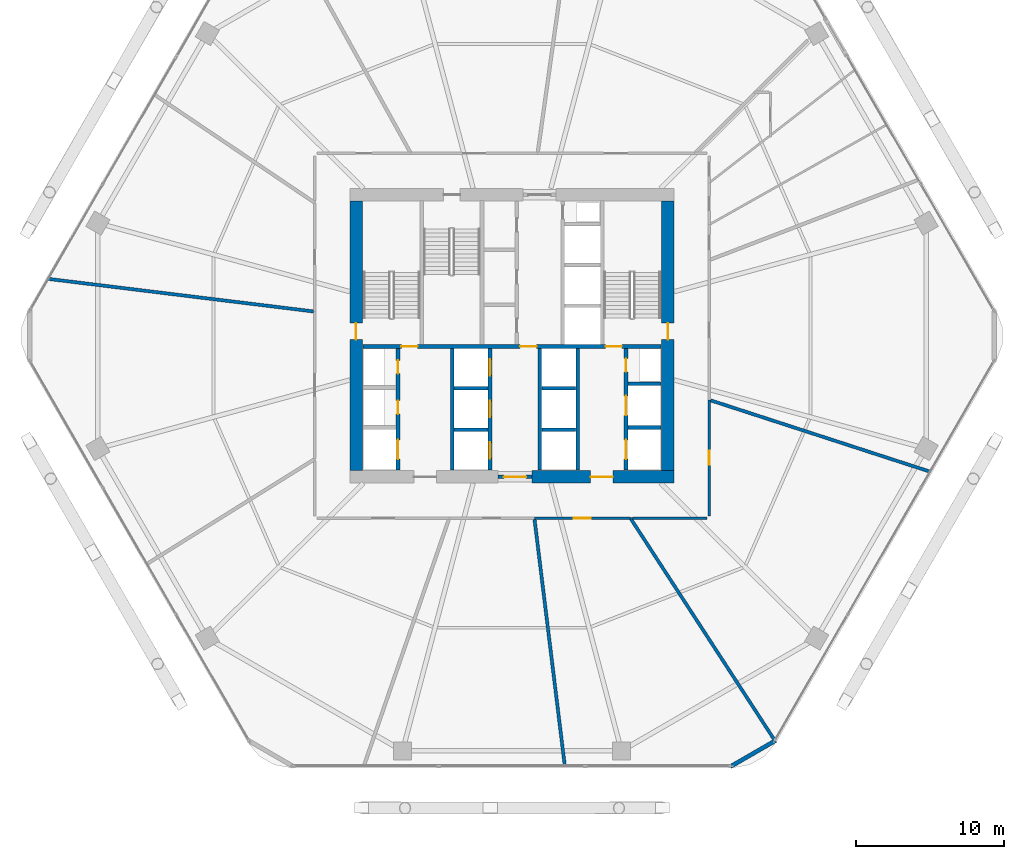
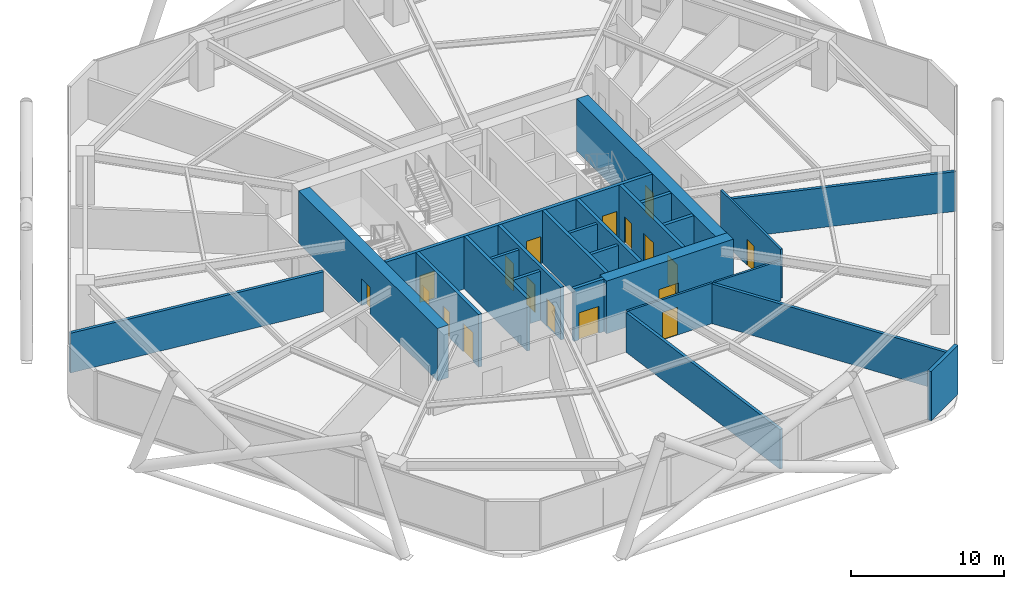
# One storey, part 25 of 28: 25 walls, 18 doors, 18 openings.
"""IFC4 building model written with IfcOpenShell, lengths in metres."""

from ifc_helpers import new_model, si_unit, direction, frame, frame_2d, origin, place, context, subcontext, project, spatial, rectangle, extrude, material, layer, layer_set, type_object, element, fill, save


model = new_model("IFC4")

# Units and contexts
model_context = context("Model", 3, precision=1e-05, world=origin(), true_north=direction((0.0, 1.0)))
body_context = subcontext(model_context, "Body", "Model", "MODEL_VIEW")
ifc_project = project(units=[si_unit("LENGTHUNIT", "METRE"), si_unit("AREAUNIT", "SQUARE_METRE"), si_unit("VOLUMEUNIT", "CUBIC_METRE"), si_unit("PLANEANGLEUNIT", "RADIAN"), si_unit("MASSUNIT", "GRAM", prefix="KILO")], contexts=[model_context])

# Site, building, storey
site_placement = place(None, origin())
site = spatial("IfcSite", under=ifc_project, at=site_placement, CompositionType="ELEMENT")
building_placement = place(site_placement, origin())
building = spatial("IfcBuilding", under=site, at=building_placement, Name="Zuhravey Tower", CompositionType="ELEMENT")
storey_placement = place(building_placement, frame((0.0, 0.0, 24.60009765625)))
storey = spatial("IfcBuildingStorey", under=building, at=storey_placement, Name="L06", CompositionType="ELEMENT", Elevation=24.60009765625)

# Wall, opening, door
ifc_material_1 = material(Name="Concrete C60/75", Category="concrete")
ifc_layer_1 = layer(ifc_material_1, 0.85009765625)
ifc_layer_set_1 = layer_set([ifc_layer_1], Name="Concrete C60/75")
wall_type_1 = type_object("IfcWallType", Name="Core Shear Wall 850", PredefinedType="SHEAR", material=ifc_layer_set_1)
wall_1_placement = place(storey_placement, frame((37.35009765625, 22.5, 0.0), z_axis=(0.0, 0.0, 1.0), x_axis=(1.0, 0.0, 0.0)))
wall_1 = element("IfcWall", 1, at=wall_1_placement, inside=storey, type_object=wall_type_1, Name="L06 South-East Core Shear Wall CW85", PredefinedType="SHEAR", context=body_context, shape_type="SweptSolid", body=[
    extrude(rectangle(XDim=9.574951171875, YDim=0.85009765625, at=frame_2d((4.78759765625, 0.0))), origin(), (0.0, 0.0, 1.0), 4.199951171875),
])
opening_1_placement = place(wall_1_placement, frame((3.949951171875, 0.0, 0.0)))
opening_1 = element("IfcOpeningElement", 2, at=opening_1_placement, cuts=wall_1, Name="Opening FFD1", PredefinedType="OPENING", context=body_context, shape_type="SweptSolid", body=[
    extrude(rectangle(XDim=1.5, YDim=2.14990234375, at=frame_2d((0.75, 1.074951171875))), frame((0.0, 0.43701171875, 0.0), z_axis=(0.0, -1.0, 0.0), x_axis=(1.0, 0.0, 0.0)), (0.0, 0.0, 1.0), 0.8740234375),
])
ifc_material_2 = material(Name="Galvanised fire-rated steel leaf", Category="steel")
door_type_1 = type_object("IfcDoorType", Name="Firefighting Lobby Double Door 1500x2150", OperationType="DOUBLE_DOOR_SINGLE_SWING", PredefinedType="DOOR", material=ifc_material_2)
door_1_placement = place(opening_1_placement, origin())
door_1 = element("IfcDoor", 3, at=door_1_placement, inside=storey, type_object=door_type_1, Name="L06 Firefighting Lobby East Door", OperationType="DOUBLE_DOOR_SINGLE_SWING", OverallHeight=2.14990234375, OverallWidth=1.5, PredefinedType="DOOR", context=body_context, shape_type="SweptSolid", body=[
    extrude(rectangle(XDim=1.5, YDim=2.14990234375, at=frame_2d((0.75, 1.074951171875))), frame((0.0, 0.02490234375, 0.0), z_axis=(0.0, -1.0, 0.0), x_axis=(1.0, 0.0, 0.0)), (0.0, 0.0, 1.0), 0.050048828125),
])
fill(opening_1, door_1)

wall_2_placement = place(storey_placement, frame((25.5, 22.925048828125, 0.0), z_axis=(0.0, 0.0, 1.0), x_axis=(0.0, 1.0, 0.0)))
wall_2 = element("IfcWall", 4, at=wall_2_placement, inside=storey, type_object=wall_type_1, Name="L06 West Core Shear Wall CW85", PredefinedType="SHEAR", context=body_context, shape_type="SweptSolid", body=[
    extrude(rectangle(XDim=18.14990234375, YDim=0.85009765625, at=frame_2d((9.074951171875, 0.0))), origin(), (0.0, 0.0, 1.0), 4.199951171875),
])
opening_2_placement = place(wall_2_placement, frame((8.824951171875, 0.0, 0.0)))
opening_2 = element("IfcOpeningElement", 5, at=opening_2_placement, cuts=wall_2, Name="Opening STD1", PredefinedType="OPENING", context=body_context, shape_type="SweptSolid", body=[
    extrude(rectangle(XDim=1.10009765625, YDim=2.14990234375, at=frame_2d((0.550048828125, 1.074951171875))), frame((0.0, 0.43701171875, 0.0), z_axis=(0.0, -1.0, 0.0), x_axis=(1.0, 0.0, 0.0)), (0.0, 0.0, 1.0), 0.8740234375),
])
door_type_2 = type_object("IfcDoorType", Name="Protected Stair Fire Door 1100x2150", OperationType="NOTDEFINED", PredefinedType="USERDEFINED", material=ifc_material_2)
door_2_placement = place(opening_2_placement, frame((1.10009765625, 0.0, 0.0), z_axis=(0.0, 0.0, 1.0), x_axis=(-1.0, 0.0, 0.0)))
door_2 = element("IfcDoor", 6, at=door_2_placement, inside=storey, type_object=door_type_2, Name="L06 Stair ST1 Door", ObjectType="EXITDOOR", OperationType="SINGLE_SWING_LEFT", OverallHeight=2.14990234375, OverallWidth=1.10009765625, PredefinedType="USERDEFINED", context=body_context, shape_type="SweptSolid", body=[
    extrude(rectangle(XDim=1.10009765625, YDim=2.14990234375, at=frame_2d((0.550048828125, 1.074951171875))), frame((0.0, 0.02490234375, 0.0), z_axis=(0.0, -1.0, 0.0), x_axis=(1.0, 0.0, 0.0)), (0.0, 0.0, 1.0), 0.050048828125),
])
fill(opening_2, door_2)

wall_3_placement = place(storey_placement, frame((46.5, 22.925048828125, 0.0), z_axis=(0.0, 0.0, 1.0), x_axis=(0.0, 1.0, 0.0)))
wall_3 = element("IfcWall", 7, at=wall_3_placement, inside=storey, type_object=wall_type_1, Name="L06 East Core Shear Wall CW85", PredefinedType="SHEAR", context=body_context, shape_type="SweptSolid", body=[
    extrude(rectangle(XDim=18.14990234375, YDim=0.85009765625, at=frame_2d((9.074951171875, 0.0))), origin(), (0.0, 0.0, 1.0), 4.199951171875),
])
opening_3_placement = place(wall_3_placement, frame((8.824951171875, 0.0, 0.0)))
opening_3 = element("IfcOpeningElement", 8, at=opening_3_placement, cuts=wall_3, Name="Opening STD1", PredefinedType="OPENING", context=body_context, shape_type="SweptSolid", body=[
    extrude(rectangle(XDim=1.10009765625, YDim=2.14990234375, at=frame_2d((0.550048828125, 1.074951171875))), frame((0.0, 0.43701171875, 0.0), z_axis=(0.0, -1.0, 0.0), x_axis=(1.0, 0.0, 0.0)), (0.0, 0.0, 1.0), 0.8740234375),
])
door_3_placement = place(opening_3_placement, origin())
door_3 = element("IfcDoor", 9, at=door_3_placement, inside=storey, type_object=door_type_2, Name="L06 Stair ST2 Door", ObjectType="EXITDOOR", OperationType="SINGLE_SWING_RIGHT", OverallHeight=2.14990234375, OverallWidth=1.10009765625, PredefinedType="USERDEFINED", context=body_context, shape_type="SweptSolid", body=[
    extrude(rectangle(XDim=1.10009765625, YDim=2.14990234375, at=frame_2d((0.550048828125, 1.074951171875))), frame((0.0, 0.02490234375, 0.0), z_axis=(0.0, -1.0, 0.0), x_axis=(1.0, 0.0, 0.0)), (0.0, 0.0, 1.0), 0.050048828125),
])
fill(opening_3, door_3)

ifc_material_3 = material(Name="Gypsum fire-rated stud partition")
ifc_layer_2 = layer(ifc_material_3, 0.159912109375)
ifc_layer_set_2 = layer_set([ifc_layer_2], Name="Gypsum fire-rated stud partition")
wall_type_2 = type_object("IfcWallType", Name="Corridor Fire Partition 160", PredefinedType="PARTITIONING", material=ifc_layer_set_2)
wall_4_placement = place(storey_placement, frame((37.50830078125, 19.715087890625, 0.0), z_axis=(0.0, 0.0, 1.0), x_axis=(1.0, 0.0, 0.0)))
wall_4 = element("IfcWall", 10, at=wall_4_placement, inside=storey, type_object=wall_type_2, Name="L06 IW16 Partition 030", PredefinedType="PARTITIONING", context=body_context, shape_type="SweptSolid", body=[
    extrude(rectangle(XDim=6.4697265625, YDim=0.159912109375, at=frame_2d((3.23486328125, 0.0))), origin(), (0.0, 0.0, 1.0), 3.219970703125),
])
opening_4_placement = place(wall_4_placement, frame((2.659912109375, 0.0, 0.0)))
opening_4 = element("IfcOpeningElement", 11, at=opening_4_placement, cuts=wall_4, Name="Opening CLD1", PredefinedType="OPENING", context=body_context, shape_type="SweptSolid", body=[
    extrude(rectangle(XDim=1.14990234375, YDim=2.199951171875, at=frame_2d((0.574951171875, 1.10009765625))), frame((0.0, 0.092041015625, 0.0), z_axis=(0.0, -1.0, 0.0), x_axis=(1.0, 0.0, 0.0)), (0.0, 0.0, 1.0), 0.183837890625),
])
ifc_material_4 = material(Name="Acoustic timber leaf with vision lite", Category="wood")
door_type_3 = type_object("IfcDoorType", Name="Classroom Acoustic Door 1150x2200", OperationType="NOTDEFINED", PredefinedType="DOOR", material=ifc_material_4)
door_4_placement = place(opening_4_placement, frame((1.14990234375, 0.0, 0.0), z_axis=(0.0, 0.0, 1.0), x_axis=(-1.0, 0.0, 0.0)))
door_4 = element("IfcDoor", 12, at=door_4_placement, inside=storey, type_object=door_type_3, Name="L06 Door 030.1", OperationType="SINGLE_SWING_LEFT", OverallHeight=2.199951171875, OverallWidth=1.14990234375, PredefinedType="DOOR", context=body_context, shape_type="SweptSolid", body=[
    extrude(rectangle(XDim=1.14990234375, YDim=2.199951171875, at=frame_2d((0.574951171875, 1.10009765625))), frame((0.0, 0.02490234375, 0.0), z_axis=(0.0, -1.0, 0.0), x_axis=(1.0, 0.0, 0.0)), (0.0, 0.0, 1.0), 0.050048828125),
])
fill(opening_4, door_4)

wall_5_placement = place(storey_placement, frame((49.284912109375, 19.875, 0.0), z_axis=(0.0, 0.0, 1.0), x_axis=(0.0, 1.0, 0.0)))
wall_5 = element("IfcWall", 13, at=wall_5_placement, inside=storey, type_object=wall_type_2, Name="L06 IW16 Partition 031", PredefinedType="PARTITIONING", context=body_context, shape_type="SweptSolid", body=[
    extrude(rectangle(XDim=7.808349609375, YDim=0.159912109375, at=frame_2d((3.904296875, 0.0))), origin(), (0.0, 0.0, 1.0), 3.919921875),
])
opening_5_placement = place(wall_5_placement, frame((3.42919921875, 0.0, 0.0)))
opening_5 = element("IfcOpeningElement", 14, at=opening_5_placement, cuts=wall_5, Name="Opening IND1", PredefinedType="OPENING", context=body_context, shape_type="SweptSolid", body=[
    extrude(rectangle(XDim=0.949951171875, YDim=2.10009765625, at=frame_2d((0.47509765625, 1.050048828125))), frame((0.0, 0.092041015625, 0.0), z_axis=(0.0, -1.0, 0.0), x_axis=(1.0, 0.0, 0.0)), (0.0, 0.0, 1.0), 0.183837890625),
])
ifc_material_5 = material(Name="Painted engineered timber leaf", Category="wood")
door_type_4 = type_object("IfcDoorType", Name="Internal Room & Bedroom Door 950x2100", OperationType="NOTDEFINED", PredefinedType="DOOR", material=ifc_material_5)
door_5_placement = place(opening_5_placement, frame((0.949951171875, 0.0, 0.0), z_axis=(0.0, 0.0, 1.0), x_axis=(-1.0, 0.0, 0.0)))
door_5 = element("IfcDoor", 15, at=door_5_placement, inside=storey, type_object=door_type_4, Name="L06 Door 031.1", OperationType="SINGLE_SWING_RIGHT", OverallHeight=2.10009765625, OverallWidth=0.949951171875, PredefinedType="DOOR", context=body_context, shape_type="SweptSolid", body=[
    extrude(rectangle(XDim=0.949951171875, YDim=2.10009765625, at=frame_2d((0.47509765625, 1.050048828125))), frame((0.0, 0.02490234375, 0.0), z_axis=(0.0, -1.0, 0.0), x_axis=(1.0, 0.0, 0.0)), (0.0, 0.0, 1.0), 0.050048828125),
])
fill(opening_5, door_5)

# Walls
wall_6_placement = place(storey_placement, frame((44.11865234375, 19.715087890625, 0.0), z_axis=(0.0, 0.0, 1.0), x_axis=(1.0, 0.0, 0.0)))
element("IfcWall", 16, at=wall_6_placement, inside=storey, type_object=wall_type_2, Name="L06 IW16 Partition 061", PredefinedType="PARTITIONING", context=body_context, shape_type="SweptSolid", body=[
    extrude(rectangle(XDim=5.00634765625, YDim=0.159912109375, at=frame_2d((2.503173828125, 0.0))), origin(), (0.0, 0.0, 1.0), 3.219970703125),
])
ifc_material_6 = material(Name="Precast concrete C40/50", Category="concrete")
ifc_layer_3 = layer(ifc_material_6, 0.280029296875)
ifc_layer_set_3 = layer_set([ifc_layer_3], Name="Precast concrete C40/50")
wall_type_3 = type_object("IfcWallType", Name="Crown Architectural Wall 280", PredefinedType="SOLIDWALL", material=ifc_layer_set_3)
wall_7_placement = place(storey_placement, frame((53.76123046875, 4.75146484375, 0.0), z_axis=(0.0, 0.0, 1.0), x_axis=(-0.866007452331, -0.500031091541, 0.0)))
element("IfcWall", 17, at=wall_7_placement, inside=storey, type_object=wall_type_3, Name="L06 Rounded Corner Closure Wall EW28-02", PredefinedType="SOLIDWALL", context=body_context, shape_type="SweptSolid", body=[
    extrude(rectangle(XDim=3.514892578125, YDim=0.280029296875, at=frame_2d((1.75732421875, 0.0))), origin(), (0.0, 0.0, 1.0), 3.919921875),
])

# Wall, opening, door
ifc_material_7 = material(Name="Concrete C50/60", Category="concrete")
ifc_layer_4 = layer(ifc_material_7, 0.25)
ifc_layer_set_4 = layer_set([ifc_layer_4], Name="Concrete C50/60")
wall_type_4 = type_object("IfcWallType", Name="Firefighting Shaft & Stair Wall 250", PredefinedType="SOLIDWALL", material=ifc_layer_set_4)
wall_8_placement = place(storey_placement, frame((35.06005859375, 22.5, 0.0), z_axis=(0.0, 0.0, 1.0), x_axis=(1.0, 0.0, 0.0)))
wall_8 = element("IfcWall", 18, at=wall_8_placement, inside=storey, type_object=wall_type_4, Name="L06 FW25 Shaft Wall 001", PredefinedType="SOLIDWALL", context=body_context, shape_type="SweptSolid", body=[
    extrude(rectangle(XDim=2.280029296875, YDim=0.25, at=frame_2d((1.14013671875, 0.0))), origin(), (0.0, 0.0, 1.0), 4.199951171875),
])
opening_6_placement = place(wall_8_placement, frame((0.389892578125, 0.0, 0.0)))
opening_6 = element("IfcOpeningElement", 19, at=opening_6_placement, cuts=wall_8, Name="Opening FFD1", PredefinedType="OPENING", context=body_context, shape_type="SweptSolid", body=[
    extrude(rectangle(XDim=1.5, YDim=2.14990234375, at=frame_2d((0.75, 1.074951171875))), frame((0.0, 0.136962890625, 0.0), z_axis=(0.0, -1.0, 0.0), x_axis=(1.0, 0.0, 0.0)), (0.0, 0.0, 1.0), 0.27392578125),
])
door_6_placement = place(opening_6_placement, frame((1.5, 0.0, 0.0), z_axis=(0.0, 0.0, 1.0), x_axis=(-1.0, 0.0, 0.0)))
door_6 = element("IfcDoor", 20, at=door_6_placement, inside=storey, type_object=door_type_1, Name="L06 South Lift Lobby Exit Door", OperationType="DOUBLE_DOOR_SINGLE_SWING", OverallHeight=2.14990234375, OverallWidth=1.5, PredefinedType="DOOR", context=body_context, shape_type="SweptSolid", body=[
    extrude(rectangle(XDim=1.5, YDim=2.14990234375, at=frame_2d((0.75, 1.074951171875))), frame((0.0, 0.02490234375, 0.0), z_axis=(0.0, -1.0, 0.0), x_axis=(1.0, 0.0, 0.0)), (0.0, 0.0, 1.0), 0.050048828125),
])
fill(opening_6, door_6)

# Wall, openings, doors
wall_9_placement = place(storey_placement, frame((25.949951171875, 31.27490234375, 0.0), z_axis=(0.0, 0.0, 1.0), x_axis=(1.0, 0.0, 0.0)))
wall_9 = element("IfcWall", 21, at=wall_9_placement, inside=storey, type_object=wall_type_4, Name="L06 FW25 Shaft Wall 003", PredefinedType="SOLIDWALL", context=body_context, shape_type="SweptSolid", body=[
    extrude(rectangle(XDim=20.10009765625, YDim=0.25, at=frame_2d((10.050048828125, 0.0))), origin(), (0.0, 0.0, 1.0), 4.199951171875),
])
opening_7_placement = place(wall_9_placement, frame((2.60009765625, 0.0, 0.0)))
opening_7 = element("IfcOpeningElement", 22, at=opening_7_placement, cuts=wall_9, Name="Opening STD1", PredefinedType="OPENING", context=body_context, shape_type="SweptSolid", body=[
    extrude(rectangle(XDim=1.10009765625, YDim=2.14990234375, at=frame_2d((0.550048828125, 1.074951171875))), frame((0.0, 0.136962890625, 0.0), z_axis=(0.0, -1.0, 0.0), x_axis=(1.0, 0.0, 0.0)), (0.0, 0.0, 1.0), 0.27392578125),
])
opening_8_placement = place(wall_9_placement, frame((10.60009765625, 0.0, 0.0)))
opening_8 = element("IfcOpeningElement", 23, at=opening_8_placement, cuts=wall_9, Name="Opening STD1", PredefinedType="OPENING", context=body_context, shape_type="SweptSolid", body=[
    extrude(rectangle(XDim=1.10009765625, YDim=2.14990234375, at=frame_2d((0.550048828125, 1.074951171875))), frame((0.0, 0.136962890625, 0.0), z_axis=(0.0, -1.0, 0.0), x_axis=(1.0, 0.0, 0.0)), (0.0, 0.0, 1.0), 0.27392578125),
])
opening_9_placement = place(wall_9_placement, frame((16.35009765625, 0.0, 0.0)))
opening_9 = element("IfcOpeningElement", 24, at=opening_9_placement, cuts=wall_9, Name="Opening STD1", PredefinedType="OPENING", context=body_context, shape_type="SweptSolid", body=[
    extrude(rectangle(XDim=1.10009765625, YDim=2.14990234375, at=frame_2d((0.550048828125, 1.074951171875))), frame((0.0, 0.136962890625, 0.0), z_axis=(0.0, -1.0, 0.0), x_axis=(1.0, 0.0, 0.0)), (0.0, 0.0, 1.0), 0.27392578125),
])
door_7_placement = place(opening_7_placement, origin())
door_7 = element("IfcDoor", 25, at=door_7_placement, inside=storey, type_object=door_type_2, Name="L06 FFL-W to ST1 Door", ObjectType="EXITDOOR", OperationType="SINGLE_SWING_RIGHT", OverallHeight=2.14990234375, OverallWidth=1.10009765625, PredefinedType="USERDEFINED", context=body_context, shape_type="SweptSolid", body=[
    extrude(rectangle(XDim=1.10009765625, YDim=2.14990234375, at=frame_2d((0.550048828125, 1.074951171875))), frame((0.0, 0.02490234375, 0.0), z_axis=(0.0, -1.0, 0.0), x_axis=(1.0, 0.0, 0.0)), (0.0, 0.0, 1.0), 0.050048828125),
])
fill(opening_7, door_7)
door_8_placement = place(opening_8_placement, origin())
door_8 = element("IfcDoor", 26, at=door_8_placement, inside=storey, type_object=door_type_2, Name="L06 Core Lobby Link Door", ObjectType="EXITDOOR", OperationType="SINGLE_SWING_LEFT", OverallHeight=2.14990234375, OverallWidth=1.10009765625, PredefinedType="USERDEFINED", context=body_context, shape_type="SweptSolid", body=[
    extrude(rectangle(XDim=1.10009765625, YDim=2.14990234375, at=frame_2d((0.550048828125, 1.074951171875))), frame((0.0, 0.02490234375, 0.0), z_axis=(0.0, -1.0, 0.0), x_axis=(1.0, 0.0, 0.0)), (0.0, 0.0, 1.0), 0.050048828125),
])
fill(opening_8, door_8)
door_9_placement = place(opening_9_placement, origin())
door_9 = element("IfcDoor", 27, at=door_9_placement, inside=storey, type_object=door_type_2, Name="L06 FFL-E to ST2 Door", ObjectType="EXITDOOR", OperationType="SINGLE_SWING_RIGHT", OverallHeight=2.14990234375, OverallWidth=1.10009765625, PredefinedType="USERDEFINED", context=body_context, shape_type="SweptSolid", body=[
    extrude(rectangle(XDim=1.10009765625, YDim=2.14990234375, at=frame_2d((0.550048828125, 1.074951171875))), frame((0.0, 0.02490234375, 0.0), z_axis=(0.0, -1.0, 0.0), x_axis=(1.0, 0.0, 0.0)), (0.0, 0.0, 1.0), 0.050048828125),
])
fill(opening_9, door_9)

wall_10_placement = place(storey_placement, frame((28.324951171875, 22.949951171875, 0.0), z_axis=(0.0, 0.0, 1.0), x_axis=(0.0, 1.0, 0.0)))
wall_10 = element("IfcWall", 28, at=wall_10_placement, inside=storey, type_object=wall_type_4, Name="L06 FW25 Shaft Wall 011", PredefinedType="SOLIDWALL", context=body_context, shape_type="SweptSolid", body=[
    extrude(rectangle(XDim=8.199951171875, YDim=0.25, at=frame_2d((4.10009765625, 0.0))), origin(), (0.0, 0.0, 1.0), 4.199951171875),
])
opening_10_placement = place(wall_10_placement, frame((0.75, 0.0, 0.0)))
opening_10 = element("IfcOpeningElement", 29, at=opening_10_placement, cuts=wall_10, Name="Opening LD2", PredefinedType="OPENING", context=body_context, shape_type="SweptSolid", body=[
    extrude(rectangle(XDim=1.300048828125, YDim=2.300048828125, at=frame_2d((0.64990234375, 1.14990234375))), frame((0.0, 0.136962890625, 0.0), z_axis=(0.0, -1.0, 0.0), x_axis=(1.0, 0.0, 0.0)), (0.0, 0.0, 1.0), 0.27392578125),
])
opening_11_placement = place(wall_10_placement, frame((3.780029296875, 0.0, 0.0)))
opening_11 = element("IfcOpeningElement", 30, at=opening_11_placement, cuts=wall_10, Name="Opening RSD1", PredefinedType="OPENING", context=body_context, shape_type="SweptSolid", body=[
    extrude(rectangle(XDim=0.89990234375, YDim=2.10009765625, at=frame_2d((0.449951171875, 1.050048828125))), frame((0.0, 0.136962890625, 0.0), z_axis=(0.0, -1.0, 0.0), x_axis=(1.0, 0.0, 0.0)), (0.0, 0.0, 1.0), 0.27392578125),
])
opening_12_placement = place(wall_10_placement, frame((6.5, 0.0, 0.0)))
opening_12 = element("IfcOpeningElement", 31, at=opening_12_placement, cuts=wall_10, Name="Opening RSD1", PredefinedType="OPENING", context=body_context, shape_type="SweptSolid", body=[
    extrude(rectangle(XDim=0.89990234375, YDim=2.10009765625, at=frame_2d((0.449951171875, 1.050048828125))), frame((0.0, 0.136962890625, 0.0), z_axis=(0.0, -1.0, 0.0), x_axis=(1.0, 0.0, 0.0)), (0.0, 0.0, 1.0), 0.27392578125),
])
ifc_material_8 = material(Name="Brushed stainless steel", Category="steel")
door_type_5 = type_object("IfcDoorType", Name="Freight & Stretcher Lift Sliding Door 1300x2300", OperationType="DOUBLE_DOOR_SLIDING", PredefinedType="DOOR", material=ifc_material_8)
door_10_placement = place(opening_10_placement, frame((1.300048828125, 0.0, 0.0), z_axis=(0.0, 0.0, 1.0), x_axis=(-1.0, 0.0, 0.0)))
door_10 = element("IfcDoor", 32, at=door_10_placement, inside=storey, type_object=door_type_5, Name="L06 Lift FF1 Landing Door", OperationType="DOUBLE_DOOR_SLIDING", OverallHeight=2.300048828125, OverallWidth=1.300048828125, PredefinedType="DOOR", context=body_context, shape_type="SweptSolid", body=[
    extrude(rectangle(XDim=1.300048828125, YDim=2.300048828125, at=frame_2d((0.64990234375, 1.14990234375))), frame((0.0, 0.02490234375, 0.0), z_axis=(0.0, -1.0, 0.0), x_axis=(1.0, 0.0, 0.0)), (0.0, 0.0, 1.0), 0.050048828125),
])
fill(opening_10, door_10)
ifc_material_9 = material(Name="Galvanised fire-rated steel access leaf", Category="steel")
door_type_6 = type_object("IfcDoorType", Name="Riser & Shaft Access Fire Door 900x2100", OperationType="NOTDEFINED", PredefinedType="DOOR", material=ifc_material_9)
door_11_placement = place(opening_11_placement, frame((0.89990234375, 0.0, 0.0), z_axis=(0.0, 0.0, 1.0), x_axis=(-1.0, 0.0, 0.0)))
door_11 = element("IfcDoor", 33, at=door_11_placement, inside=storey, type_object=door_type_6, Name="L06 Electrical Riser Door", OperationType="SINGLE_SWING_LEFT", OverallHeight=2.10009765625, OverallWidth=0.89990234375, PredefinedType="DOOR", context=body_context, shape_type="SweptSolid", body=[
    extrude(rectangle(XDim=0.89990234375, YDim=2.10009765625, at=frame_2d((0.449951171875, 1.050048828125))), frame((0.0, 0.02490234375, 0.0), z_axis=(0.0, -1.0, 0.0), x_axis=(1.0, 0.0, 0.0)), (0.0, 0.0, 1.0), 0.050048828125),
])
fill(opening_11, door_11)
door_12_placement = place(opening_12_placement, frame((0.89990234375, 0.0, 0.0), z_axis=(0.0, 0.0, 1.0), x_axis=(-1.0, 0.0, 0.0)))
door_12 = element("IfcDoor", 34, at=door_12_placement, inside=storey, type_object=door_type_6, Name="L06 Smoke Shaft Access Door", OperationType="SINGLE_SWING_RIGHT", OverallHeight=2.10009765625, OverallWidth=0.89990234375, PredefinedType="DOOR", context=body_context, shape_type="SweptSolid", body=[
    extrude(rectangle(XDim=0.89990234375, YDim=2.10009765625, at=frame_2d((0.449951171875, 1.050048828125))), frame((0.0, 0.02490234375, 0.0), z_axis=(0.0, -1.0, 0.0), x_axis=(1.0, 0.0, 0.0)), (0.0, 0.0, 1.0), 0.050048828125),
])
fill(opening_12, door_12)

# Wall
wall_11_placement = place(storey_placement, frame((31.97509765625, 22.949951171875, 0.0), z_axis=(0.0, 0.0, 1.0), x_axis=(0.0, 1.0, 0.0)))
element("IfcWall", 35, at=wall_11_placement, inside=storey, type_object=wall_type_4, Name="L06 FW25 Shaft Wall 012", PredefinedType="SOLIDWALL", context=body_context, shape_type="SweptSolid", body=[
    extrude(rectangle(XDim=8.199951171875, YDim=0.25, at=frame_2d((4.10009765625, 0.0))), origin(), (0.0, 0.0, 1.0), 4.199951171875),
])

# Wall, openings, doors
wall_12_placement = place(storey_placement, frame((34.52490234375, 22.949951171875, 0.0), z_axis=(0.0, 0.0, 1.0), x_axis=(0.0, 1.0, 0.0)))
wall_12 = element("IfcWall", 36, at=wall_12_placement, inside=storey, type_object=wall_type_4, Name="L06 FW25 Shaft Wall 013", PredefinedType="SOLIDWALL", context=body_context, shape_type="SweptSolid", body=[
    extrude(rectangle(XDim=8.199951171875, YDim=0.25, at=frame_2d((4.10009765625, 0.0))), origin(), (0.0, 0.0, 1.0), 4.199951171875),
])
opening_13_placement = place(wall_12_placement, frame((0.77490234375, 0.0, 0.0)))
opening_13 = element("IfcOpeningElement", 37, at=opening_13_placement, cuts=wall_12, Name="Opening LD1", PredefinedType="OPENING", context=body_context, shape_type="SweptSolid", body=[
    extrude(rectangle(XDim=1.10009765625, YDim=2.199951171875, at=frame_2d((0.550048828125, 1.10009765625))), frame((0.0, 0.136962890625, 0.0), z_axis=(0.0, -1.0, 0.0), x_axis=(1.0, 0.0, 0.0)), (0.0, 0.0, 1.0), 0.27392578125),
])
opening_14_placement = place(wall_12_placement, frame((3.574951171875, 0.0, 0.0)))
opening_14 = element("IfcOpeningElement", 38, at=opening_14_placement, cuts=wall_12, Name="Opening LD1", PredefinedType="OPENING", context=body_context, shape_type="SweptSolid", body=[
    extrude(rectangle(XDim=1.10009765625, YDim=2.199951171875, at=frame_2d((0.550048828125, 1.10009765625))), frame((0.0, 0.136962890625, 0.0), z_axis=(0.0, -1.0, 0.0), x_axis=(1.0, 0.0, 0.0)), (0.0, 0.0, 1.0), 0.27392578125),
])
opening_15_placement = place(wall_12_placement, frame((6.375, 0.0, 0.0)))
opening_15 = element("IfcOpeningElement", 39, at=opening_15_placement, cuts=wall_12, Name="Opening LD1", PredefinedType="OPENING", context=body_context, shape_type="SweptSolid", body=[
    extrude(rectangle(XDim=1.10009765625, YDim=2.199951171875, at=frame_2d((0.550048828125, 1.10009765625))), frame((0.0, 0.136962890625, 0.0), z_axis=(0.0, -1.0, 0.0), x_axis=(1.0, 0.0, 0.0)), (0.0, 0.0, 1.0), 0.27392578125),
])
door_type_7 = type_object("IfcDoorType", Name="Lift Landing Sliding Door 1100x2200", OperationType="DOUBLE_DOOR_SLIDING", PredefinedType="DOOR", material=ifc_material_8)
door_13_placement = place(opening_13_placement, frame((1.10009765625, 0.0, 0.0), z_axis=(0.0, 0.0, 1.0), x_axis=(-1.0, 0.0, 0.0)))
door_13 = element("IfcDoor", 40, at=door_13_placement, inside=storey, type_object=door_type_7, Name="L06 Lift PL1 Landing Door", OperationType="DOUBLE_DOOR_SLIDING", OverallHeight=2.199951171875, OverallWidth=1.10009765625, PredefinedType="DOOR", context=body_context, shape_type="SweptSolid", body=[
    extrude(rectangle(XDim=1.10009765625, YDim=2.199951171875, at=frame_2d((0.550048828125, 1.10009765625))), frame((0.0, 0.02490234375, 0.0), z_axis=(0.0, -1.0, 0.0), x_axis=(1.0, 0.0, 0.0)), (0.0, 0.0, 1.0), 0.050048828125),
])
fill(opening_13, door_13)
door_14_placement = place(opening_14_placement, frame((1.10009765625, 0.0, 0.0), z_axis=(0.0, 0.0, 1.0), x_axis=(-1.0, 0.0, 0.0)))
door_14 = element("IfcDoor", 41, at=door_14_placement, inside=storey, type_object=door_type_7, Name="L06 Lift PL2 Landing Door", OperationType="DOUBLE_DOOR_SLIDING", OverallHeight=2.199951171875, OverallWidth=1.10009765625, PredefinedType="DOOR", context=body_context, shape_type="SweptSolid", body=[
    extrude(rectangle(XDim=1.10009765625, YDim=2.199951171875, at=frame_2d((0.550048828125, 1.10009765625))), frame((0.0, 0.02490234375, 0.0), z_axis=(0.0, -1.0, 0.0), x_axis=(1.0, 0.0, 0.0)), (0.0, 0.0, 1.0), 0.050048828125),
])
fill(opening_14, door_14)
door_15_placement = place(opening_15_placement, frame((1.10009765625, 0.0, 0.0), z_axis=(0.0, 0.0, 1.0), x_axis=(-1.0, 0.0, 0.0)))
door_15 = element("IfcDoor", 42, at=door_15_placement, inside=storey, type_object=door_type_7, Name="L06 Lift PL3 Landing Door", OperationType="DOUBLE_DOOR_SLIDING", OverallHeight=2.199951171875, OverallWidth=1.10009765625, PredefinedType="DOOR", context=body_context, shape_type="SweptSolid", body=[
    extrude(rectangle(XDim=1.10009765625, YDim=2.199951171875, at=frame_2d((0.550048828125, 1.10009765625))), frame((0.0, 0.02490234375, 0.0), z_axis=(0.0, -1.0, 0.0), x_axis=(1.0, 0.0, 0.0)), (0.0, 0.0, 1.0), 0.050048828125),
])
fill(opening_15, door_15)

# Walls
for number, where, z_axis, x_axis, name in (
    (43, (37.875, 22.949951171875, 0.0), (0.0, 0.0, 1.0), (0.0, 1.0, 0.0), "L06 FW25 Shaft Wall 014"),
    (44, (40.425048828125, 22.949951171875, 0.0), (0.0, 0.0, 1.0), (0.0, 1.0, 0.0), "L06 FW25 Shaft Wall 015"),
):
    element("IfcWall", number, at=place(storey_placement, frame(where, z_axis=z_axis, x_axis=x_axis)), inside=storey, type_object=wall_type_4, Name=name, PredefinedType="SOLIDWALL", context=body_context, shape_type="SweptSolid", body=[
        extrude(rectangle(XDim=8.199951171875, YDim=0.25, at=frame_2d((4.10009765625, 0.0))), origin(), (0.0, 0.0, 1.0), 4.199951171875),
    ])
for number, where, z_axis, x_axis, name in (
    (45, (43.800048828125, 25.824951171875, 0.0), (0.0, 0.0, 1.0), (1.0, 0.0, 0.0), "L06 FW25 Shaft Wall 016"),
    (46, (43.800048828125, 28.77490234375, 0.0), (0.0, 0.0, 1.0), (1.0, 0.0, 0.0), "L06 FW25 Shaft Wall 017"),
):
    element("IfcWall", number, at=place(storey_placement, frame(where, z_axis=z_axis, x_axis=x_axis)), inside=storey, type_object=wall_type_4, Name=name, PredefinedType="SOLIDWALL", context=body_context, shape_type="SweptSolid", body=[
        extrude(rectangle(XDim=2.25, YDim=0.25, at=frame_2d((1.125, 0.0))), origin(), (0.0, 0.0, 1.0), 4.199951171875),
    ])

# Wall, openings, doors
wall_13_placement = place(storey_placement, frame((43.675048828125, 22.949951171875, 0.0), z_axis=(0.0, 0.0, 1.0), x_axis=(0.0, 1.0, 0.0)))
wall_13 = element("IfcWall", 47, at=wall_13_placement, inside=storey, type_object=wall_type_4, Name="L06 FW25 Shaft Wall 018", PredefinedType="SOLIDWALL", context=body_context, shape_type="SweptSolid", body=[
    extrude(rectangle(XDim=8.199951171875, YDim=0.25, at=frame_2d((4.10009765625, 0.0))), origin(), (0.0, 0.0, 1.0), 4.199951171875),
])
opening_16_placement = place(wall_13_placement, frame((0.75, 0.0, 0.0)))
opening_16 = element("IfcOpeningElement", 48, at=opening_16_placement, cuts=wall_13, Name="Opening LD2", PredefinedType="OPENING", context=body_context, shape_type="SweptSolid", body=[
    extrude(rectangle(XDim=1.300048828125, YDim=2.300048828125, at=frame_2d((0.64990234375, 1.14990234375))), frame((0.0, 0.136962890625, 0.0), z_axis=(0.0, -1.0, 0.0), x_axis=(1.0, 0.0, 0.0)), (0.0, 0.0, 1.0), 0.27392578125),
])
opening_17_placement = place(wall_13_placement, frame((3.699951171875, 0.0, 0.0)))
opening_17 = element("IfcOpeningElement", 49, at=opening_17_placement, cuts=wall_13, Name="Opening LD2", PredefinedType="OPENING", context=body_context, shape_type="SweptSolid", body=[
    extrude(rectangle(XDim=1.300048828125, YDim=2.300048828125, at=frame_2d((0.64990234375, 1.14990234375))), frame((0.0, 0.136962890625, 0.0), z_axis=(0.0, -1.0, 0.0), x_axis=(1.0, 0.0, 0.0)), (0.0, 0.0, 1.0), 0.27392578125),
])
opening_18_placement = place(wall_13_placement, frame((6.6201171875, 0.0, 0.0)))
opening_18 = element("IfcOpeningElement", 50, at=opening_18_placement, cuts=wall_13, Name="Opening RSD1", PredefinedType="OPENING", context=body_context, shape_type="SweptSolid", body=[
    extrude(rectangle(XDim=0.89990234375, YDim=2.10009765625, at=frame_2d((0.449951171875, 1.050048828125))), frame((0.0, 0.136962890625, 0.0), z_axis=(0.0, -1.0, 0.0), x_axis=(1.0, 0.0, 0.0)), (0.0, 0.0, 1.0), 0.27392578125),
])
door_16_placement = place(opening_16_placement, origin())
door_16 = element("IfcDoor", 51, at=door_16_placement, inside=storey, type_object=door_type_5, Name="L06 Lift FF2 Landing Door", OperationType="DOUBLE_DOOR_SLIDING", OverallHeight=2.300048828125, OverallWidth=1.300048828125, PredefinedType="DOOR", context=body_context, shape_type="SweptSolid", body=[
    extrude(rectangle(XDim=1.300048828125, YDim=2.300048828125, at=frame_2d((0.64990234375, 1.14990234375))), frame((0.0, 0.02490234375, 0.0), z_axis=(0.0, -1.0, 0.0), x_axis=(1.0, 0.0, 0.0)), (0.0, 0.0, 1.0), 0.050048828125),
])
fill(opening_16, door_16)
door_17_placement = place(opening_17_placement, origin())
door_17 = element("IfcDoor", 52, at=door_17_placement, inside=storey, type_object=door_type_5, Name="L06 Lift SV1 Landing Door", OperationType="DOUBLE_DOOR_SLIDING", OverallHeight=2.300048828125, OverallWidth=1.300048828125, PredefinedType="DOOR", context=body_context, shape_type="SweptSolid", body=[
    extrude(rectangle(XDim=1.300048828125, YDim=2.300048828125, at=frame_2d((0.64990234375, 1.14990234375))), frame((0.0, 0.02490234375, 0.0), z_axis=(0.0, -1.0, 0.0), x_axis=(1.0, 0.0, 0.0)), (0.0, 0.0, 1.0), 0.050048828125),
])
fill(opening_17, door_17)
door_18_placement = place(opening_18_placement, origin())
door_18 = element("IfcDoor", 53, at=door_18_placement, inside=storey, type_object=door_type_6, Name="L06 Plumbing Riser Door", OperationType="SINGLE_SWING_LEFT", OverallHeight=2.10009765625, OverallWidth=0.89990234375, PredefinedType="DOOR", context=body_context, shape_type="SweptSolid", body=[
    extrude(rectangle(XDim=0.89990234375, YDim=2.10009765625, at=frame_2d((0.449951171875, 1.050048828125))), frame((0.0, 0.02490234375, 0.0), z_axis=(0.0, -1.0, 0.0), x_axis=(1.0, 0.0, 0.0)), (0.0, 0.0, 1.0), 0.050048828125),
])
fill(opening_18, door_18)

# Walls
ifc_material_10 = material(Name="Gypsum acoustic stud assembly")
ifc_layer_5 = layer(ifc_material_10, 0.219970703125)
ifc_layer_set_5 = layer_set([ifc_layer_5], Name="Gypsum acoustic stud assembly")
wall_type_5 = type_object("IfcWallType", Name="School Acoustic Compartment Wall 220", PredefinedType="PARTITIONING", material=ifc_layer_set_5)
for number, where, z_axis, x_axis, name in (
    (54, (32.10791015625, 25.675048828125, 0.0), (0.0, 0.0, 1.0), (1.0, 0.0, 0.0), "L06 IW22 Partition 038"),
    (55, (32.10791015625, 28.47509765625, 0.0), (0.0, 0.0, 1.0), (1.0, 0.0, 0.0), "L06 IW22 Partition 039"),
):
    element("IfcWall", number, at=place(storey_placement, frame(where, z_axis=z_axis, x_axis=x_axis)), inside=storey, type_object=wall_type_5, Name=name, PredefinedType="PARTITIONING", context=body_context, shape_type="SweptSolid", body=[
        extrude(rectangle(XDim=2.2841796875, YDim=0.219970703125, at=frame_2d((1.14208984375, 0.0))), origin(), (0.0, 0.0, 1.0), 3.919921875),
    ])
for number, where, z_axis, x_axis, name in (
    (56, (38.008056640625, 25.675048828125, 0.0), (0.0, 0.0, 1.0), (1.0, 0.0, 0.0), "L06 IW22 Partition 040"),
    (57, (38.008056640625, 28.47509765625, 0.0), (0.0, 0.0, 1.0), (1.0, 0.0, 0.0), "L06 IW22 Partition 041"),
):
    element("IfcWall", number, at=place(storey_placement, frame(where, z_axis=z_axis, x_axis=x_axis)), inside=storey, type_object=wall_type_5, Name=name, PredefinedType="PARTITIONING", context=body_context, shape_type="SweptSolid", body=[
        extrude(rectangle(XDim=2.283935546875, YDim=0.219970703125, at=frame_2d((1.14208984375, 0.0))), origin(), (0.0, 0.0, 1.0), 3.919921875),
    ])
wall_14_placement = place(storey_placement, frame((22.626953125, 33.64208984375, 0.0), z_axis=(0.0, 0.0, 1.0), x_axis=(-0.99254636489, 0.121867606624, 0.0)))
element("IfcWall", 58, at=wall_14_placement, inside=storey, type_object=wall_type_5, Name="L06 IW22 Partition 054", PredefinedType="PARTITIONING", context=body_context, shape_type="SweptSolid", body=[
    extrude(rectangle(XDim=17.98583984375, YDim=0.219970703125, at=frame_2d((8.992919921875, 0.0))), origin(), (0.0, 0.0, 1.0), 3.169921875),
])
wall_15_placement = place(storey_placement, frame((37.519287109375, 19.626953125, 0.0), z_axis=(0.0, 0.0, 1.0), x_axis=(0.121865797427, -0.992546587026, 0.0)))
element("IfcWall", 59, at=wall_15_placement, inside=storey, type_object=wall_type_5, Name="L06 IW22 Partition 058", PredefinedType="PARTITIONING", context=body_context, shape_type="SweptSolid", body=[
    extrude(rectangle(XDim=16.7099609375, YDim=0.219970703125, at=frame_2d((8.35498046875, 0.0))), origin(), (0.0, 0.0, 1.0), 3.169921875),
])
wall_16_placement = place(storey_placement, frame((43.97802734375, 19.715087890625, 0.0), z_axis=(0.0, 0.0, 1.0), x_axis=(0.544630677499, -0.838675995321, 0.0)))
element("IfcWall", 60, at=wall_16_placement, inside=storey, type_object=wall_type_5, Name="L06 IW22 Partition 059", PredefinedType="PARTITIONING", context=body_context, shape_type="SweptSolid", body=[
    extrude(rectangle(XDim=17.852783203125, YDim=0.219970703125, at=frame_2d((8.92626953125, 0.0))), origin(), (0.0, 0.0, 1.0), 3.169921875),
])
wall_17_placement = place(storey_placement, frame((49.373046875, 27.65478515625, 0.0), z_axis=(0.0, 0.0, 1.0), x_axis=(0.951055880984, -0.309018949654, 0.0)))
element("IfcWall", 61, at=wall_17_placement, inside=storey, type_object=wall_type_5, Name="L06 IW22 Partition 060", PredefinedType="PARTITIONING", context=body_context, shape_type="SweptSolid", body=[
    extrude(rectangle(XDim=15.544189453125, YDim=0.219970703125, at=frame_2d((7.77197265625, 0.0))), origin(), (0.0, 0.0, 1.0), 3.169921875),
])

save(model, "model.ifc")
